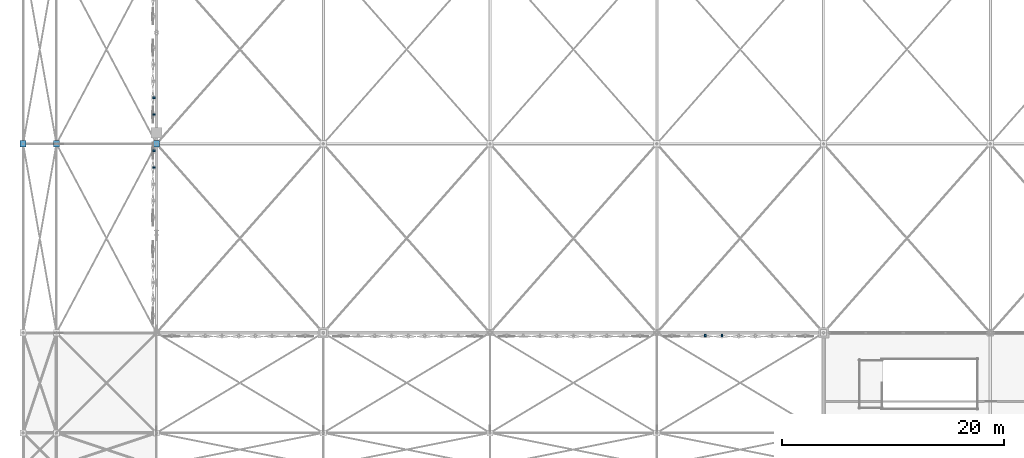
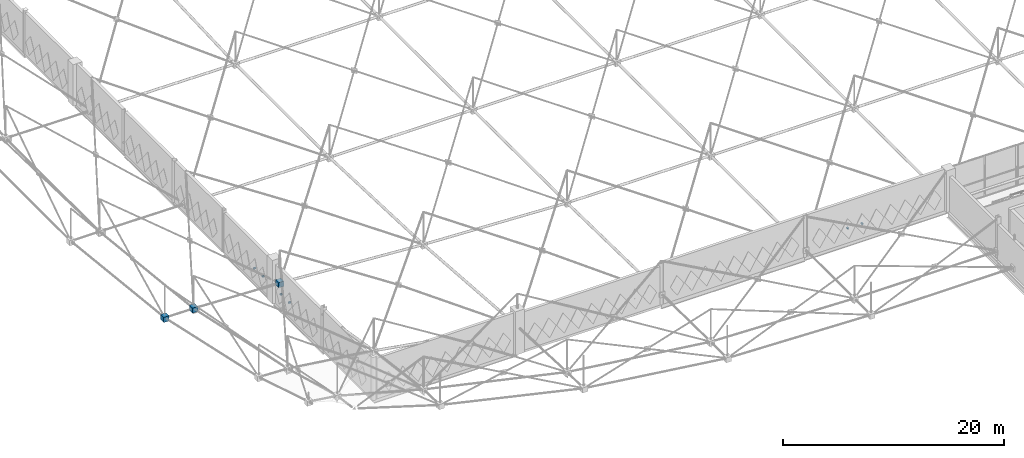
# One storey, part 204 of 224: 9 discrete accessories.
"""IFC4 building model written with IfcOpenShell, lengths in metres."""

import ifcopenshell
import ifcopenshell.guid

model = None  # the IFC model being written
_history = None  # IfcOwnerHistory: only IFC2X3 demands one
_inside = {}  # id of a spatial element -> (the spatial element, [elements in it])
_under = {}  # id of a project, library or spatial element -> (it, [spatial elements below it])
_declared = {}  # id of a project -> (the project, [libraries it declares])
_typed = {}  # id of a type object -> (the type object, [elements of that type])
_made_of = {}  # id of a material, layer set ... -> (it, [elements and type objects made of it])


def new_model(schema):
    """Start an empty IFC model of exactly this schema.

    Asked for "IFC4X3", IfcOpenShell would pick the latest addendum, in which some entities
    have other attributes; the version numbers below select the first issue.
    IFC2X3 requires an IfcOwnerHistory on every rooted entity: one is made here for all.
    """
    global model, _history
    if schema == "IFC4X3":
        model = ifcopenshell.file(schema_version=(4, 3, 0, 0))
    else:
        model = ifcopenshell.file(schema=schema)
    _inside.clear()
    _under.clear()
    _declared.clear()
    _typed.clear()
    _made_of.clear()
    _history = None
    if model.schema == "IFC2X3":
        org = make("IfcOrganization", Name="unknown")
        user = make(
            "IfcPersonAndOrganization",
            ThePerson=make("IfcPerson", FamilyName="unknown"),
            TheOrganization=org,
        )
        app = make(
            "IfcApplication",
            ApplicationDeveloper=org,
            Version="unknown",
            ApplicationFullName="unknown",
            ApplicationIdentifier="unknown",
        )
        _history = make(
            "IfcOwnerHistory",
            OwningUser=user,
            OwningApplication=app,
            ChangeAction="ADDED",
            CreationDate=0,
        )
    return model


def make(cls, **values):
    """One entity of the class cls with the attributes given. An attribute that is None is left unset."""
    return model.create_entity(
        cls, **{name: value for name, value in values.items() if value is not None}
    )


def rooted(cls, **values):
    """An entity with a GlobalId (a new one), such as an element, a storey or a relation."""
    return make(cls, GlobalId=ifcopenshell.guid.new(), OwnerHistory=_history, **values)


def si_unit(unit_type, name, prefix=None):
    """IfcSIUnit, for example si_unit("LENGTHUNIT", "METRE", prefix="MILLI")."""
    return make("IfcSIUnit", UnitType=unit_type, Prefix=prefix, Name=name)


def assignment(units):
    """IfcUnitAssignment: the units of a project."""
    return None if units is None else make("IfcUnitAssignment", Units=units)


def point(xyz):
    """IfcCartesianPoint."""
    return None if xyz is None else make("IfcCartesianPoint", Coordinates=xyz)


def direction(xyz):
    """IfcDirection."""
    return None if xyz is None else make("IfcDirection", DirectionRatios=xyz)


def frame(location, z_axis=None, x_axis=None):
    """IfcAxis2Placement3D, a coordinate frame: its origin and axes. An axis left out is left unset."""
    return make(
        "IfcAxis2Placement3D",
        Location=point(location),
        Axis=direction(z_axis),
        RefDirection=direction(x_axis),
    )


def frame_2d(location, x_axis=None):
    """IfcAxis2Placement2D, a coordinate frame in the plane: its origin and x axis."""
    return make(
        "IfcAxis2Placement2D", Location=point(location), RefDirection=direction(x_axis)
    )


def origin():
    """The frame at (0, 0, 0) with its axes left unset."""
    return frame((0.0, 0.0, 0.0))


def origin_2d():
    """The frame at (0, 0) in the plane with its x axis left unset."""
    return frame_2d((0.0, 0.0))


def place(relative_to, where):
    """IfcLocalPlacement: puts the frame where relative to a parent placement (None: the world)."""
    return make(
        "IfcLocalPlacement", PlacementRelTo=relative_to, RelativePlacement=where
    )


def context(
    kind, dimensions, precision=None, world=None, true_north=None, identifier=None
):
    """IfcGeometricRepresentationContext, for example the 3D "Model" context."""
    return make(
        "IfcGeometricRepresentationContext",
        ContextIdentifier=identifier,
        ContextType=kind,
        CoordinateSpaceDimension=dimensions,
        Precision=precision,
        WorldCoordinateSystem=world,
        TrueNorth=true_north,
    )


def subcontext(parent, identifier, kind, view, scale=None):
    """IfcGeometricRepresentationSubContext, for example "Body" below "Model"."""
    return make(
        "IfcGeometricRepresentationSubContext",
        ContextIdentifier=identifier,
        ContextType=kind,
        ParentContext=parent,
        TargetScale=scale,
        TargetView=view,
    )


def project(units=None, contexts=None):
    """IfcProject with its units and contexts."""
    return rooted(
        "IfcProject",
        Name="project",
        RepresentationContexts=contexts,
        UnitsInContext=assignment(units),
    )


def spatial(cls, under=None, at=None, **own):
    """A site, building, storey or space (cls), placed at a placement, below another one or the project."""
    s = rooted(cls, ObjectPlacement=at, **own)
    if under is not None:
        _under.setdefault(under.id(), (under, []))[1].append(s)
    return s


def profile(cls, at=None, kind="AREA", **sizes):
    """A parametric profile (cls). Its sizes go by their IFC names, for example OverallWidth=200.0."""
    return make(cls, ProfileType=kind, Position=at, **sizes)


def rectangle(**sizes):
    """IfcRectangleProfileDef."""
    return profile("IfcRectangleProfileDef", **sizes)


def extrude(swept, where, along, depth):
    """IfcExtrudedAreaSolid: the profile swept, set in the frame where, extruded along a direction by depth."""
    return make(
        "IfcExtrudedAreaSolid",
        SweptArea=swept,
        Position=where,
        ExtrudedDirection=direction(along),
        Depth=depth,
    )


def shape(context_of_items, identifier, shape_type, items):
    """IfcShapeRepresentation: the items that make up one representation, for example the "Body"."""
    return make(
        "IfcShapeRepresentation",
        ContextOfItems=context_of_items,
        RepresentationIdentifier=identifier,
        RepresentationType=shape_type,
        Items=items,
    )


def material(Name=None, Category=None):
    """IfcMaterial."""
    return make("IfcMaterial", Name=Name, Category=Category)


def made_of(thing, what):
    """Note that an element or type object is made of a material, layer set ...; save() writes the relation."""
    if what is not None:
        _made_of.setdefault(what.id(), (what, []))[1].append(thing)
    return thing


def type_object(cls, material=None, **own):
    """A type object (cls), such as IfcWallType, which elements share."""
    return made_of(rooted(cls, **own), material)


def element(
    cls,
    number,
    at=None,
    inside=None,
    cuts=None,
    type_object=None,
    material=None,
    context=None,
    identifier="Body",
    shape_type=None,
    held_by="IfcProductDefinitionShape",
    body=None,
    shapes=None,
    **own,
):
    """One element of the class cls, such as IfcWall. Its Tag is "e" and its number.

    at: its placement. inside: the storey or other place that contains it. cuts: it is an
    opening in that element (IfcRelVoidsElement). A single representation is given by context,
    identifier, shape_type and body (its items); several are given by shapes. held_by: the class
    of the entity that holds the representations. save() writes the other relations.
    """
    e = rooted(cls, Tag="e%d" % number, ObjectPlacement=at, **own)
    if body is not None:
        shapes = [shape(context, identifier, shape_type, body)]
    if shapes is not None:
        e.Representation = make(held_by, Representations=shapes)
    if inside is not None:
        _inside.setdefault(inside.id(), (inside, []))[1].append(e)
    if cuts is not None:
        rooted(
            "IfcRelVoidsElement", RelatingBuildingElement=cuts, RelatedOpeningElement=e
        )
    if type_object is not None:
        _typed.setdefault(type_object.id(), (type_object, []))[1].append(e)
    return made_of(e, material)


def aggregate(whole, parts):
    """IfcRelAggregates: a whole, such as a stair, and the parts it consists of."""
    return rooted("IfcRelAggregates", RelatingObject=whole, RelatedObjects=parts)


def save(model, path):
    """Write the relations noted so far, then the file.

    IfcRelAggregates (storeys below a building ...), IfcRelContainedInSpatialStructure (elements
    in a storey), IfcRelDefinesByType, IfcRelAssociatesMaterial and IfcRelDeclares: one each for
    every whole, place, type object, material and project.
    """
    for whole, parts in _under.values():
        aggregate(whole, parts)
    for where, things in _inside.values():
        rooted(
            "IfcRelContainedInSpatialStructure",
            RelatedElements=things,
            RelatingStructure=where,
        )
    for kind, things in _typed.values():
        rooted("IfcRelDefinesByType", RelatedObjects=things, RelatingType=kind)
    for what, things in _made_of.values():
        rooted("IfcRelAssociatesMaterial", RelatedObjects=things, RelatingMaterial=what)
    for by, libraries in _declared.values():
        rooted("IfcRelDeclares", RelatingContext=by, RelatedDefinitions=libraries)
    model.write(path)


model = new_model("IFC4")

# Units and contexts
model_context = context("Model", 3, precision=1e-05, world=origin(), true_north=direction((0.0, 1.0)))
body_context = subcontext(model_context, "Body", "Model", "MODEL_VIEW")
ifc_project = project(units=[si_unit("LENGTHUNIT", "METRE"), si_unit("AREAUNIT", "SQUARE_METRE"), si_unit("VOLUMEUNIT", "CUBIC_METRE"), si_unit("PLANEANGLEUNIT", "RADIAN"), si_unit("MASSUNIT", "GRAM", prefix="KILO")], contexts=[model_context])

# Site, building, storey
site_placement = place(None, origin())
site = spatial("IfcSite", under=ifc_project, at=site_placement, CompositionType="ELEMENT")
building_placement = place(site_placement, origin())
building = spatial("IfcBuilding", under=site, at=building_placement, Name="Qamarlyn Nura Convention Centre", CompositionType="ELEMENT")
storey_placement = place(building_placement, frame((0.0, 0.0, 10.800048828125)))
storey = spatial("IfcBuildingStorey", under=building, at=storey_placement, Name="L02", CompositionType="ELEMENT", Elevation=10.800048828125)

# Discrete accessories
ifc_material_1 = material(Name="Pearl-white PVDF steel ASTM A500 Grade C", Category="steel")
discrete_accessory_type_1 = type_object("IfcDiscreteAccessoryType", Name="ACC-SF-NODE", PredefinedType="USERDEFINED", material=ifc_material_1)
for number, where, z_axis, x_axis, name in (
    (1, (-12.0, 35.0, 2.57763671875), (0.0, 0.0, 1.0), (1.0, 0.0, 0.0), "Cast space frame node BC-0-3"),
    (2, (-9.0, 35.0, 2.552001953125), (0.0, 0.0, 1.0), (1.0, 0.0, 0.0), "Cast space frame node BC-1-3"),
    (3, (0.0, 35.0, 2.20361328125), (0.0, 0.0, 1.0), (1.0, 0.0, 0.0), "Cast space frame node BC-2-3"),
):
    element("IfcDiscreteAccessory", number, at=place(storey_placement, frame(where, z_axis=z_axis, x_axis=x_axis)), inside=storey, type_object=discrete_accessory_type_1, Name=name, ObjectType="SPACE FRAME NODE", PredefinedType="USERDEFINED", context=body_context, shape_type="SweptSolid", body=[
        extrude(rectangle(XDim=0.56005859375, YDim=0.56005859375, at=origin_2d()), origin(), (0.0, 0.0, 1.0), 0.56005859375),
    ])
ifc_material_2 = material(Name="Marine Grade 316 stainless steel", Category="steel")
discrete_accessory_type_2 = type_object("IfcDiscreteAccessoryType", Name="ACC-TILE-BRK", PredefinedType="BRACKET", material=ifc_material_2)
discrete_accessory_1_placement = place(storey_placement, frame((-0.224365234375, 32.86865234375, 1.6201171875), z_axis=(0.0, 0.0, 1.0), x_axis=(-1.0, 0.0, 0.0)))
element("IfcDiscreteAccessory", 4, at=discrete_accessory_1_placement, inside=storey, type_object=discrete_accessory_type_2, Name="L02 diamond tile pivot bracket 0203", PredefinedType="BRACKET", context=body_context, shape_type="SweptSolid", body=[
    extrude(rectangle(XDim=0.228515625, YDim=0.159912109375, at=origin_2d()), origin(), (0.0, 0.0, 1.0), 0.159912109375),
])
for number, where, z_axis, x_axis, name in (
    (5, (-0.218994140625, 34.36865234375, 1.6201171875), (0.0, 0.0, 1.0), (-1.0, 0.0, 0.0), "L02 diamond tile pivot bracket 0204"),
    (6, (-0.218994140625, 37.635986328125, 1.6201171875), (0.0, 0.0, 1.0), (-1.0, 0.0, 0.0), "L02 diamond tile pivot bracket 0205"),
):
    element("IfcDiscreteAccessory", number, at=place(storey_placement, frame(where, z_axis=z_axis, x_axis=x_axis)), inside=storey, type_object=discrete_accessory_type_2, Name=name, PredefinedType="BRACKET", context=body_context, shape_type="SweptSolid", body=[
        extrude(rectangle(XDim=0.218017578125, YDim=0.159912109375, at=origin_2d()), origin(), (0.0, 0.0, 1.0), 0.159912109375),
    ])
discrete_accessory_2_placement = place(storey_placement, frame((-0.224365234375, 39.135986328125, 1.6201171875), z_axis=(0.0, 0.0, 1.0), x_axis=(-1.0, 0.0, 0.0)))
element("IfcDiscreteAccessory", 7, at=discrete_accessory_2_placement, inside=storey, type_object=discrete_accessory_type_2, Name="L02 diamond tile pivot bracket 0206", PredefinedType="BRACKET", context=body_context, shape_type="SweptSolid", body=[
    extrude(rectangle(XDim=0.228515625, YDim=0.159912109375, at=origin_2d()), origin(), (0.0, 0.0, 1.0), 0.159912109375),
])
discrete_accessory_3_placement = place(storey_placement, frame((50.864013671875, 17.7734375, 1.6201171875), z_axis=(0.0, 0.0, 1.0), x_axis=(0.0, -1.0, 0.0)))
element("IfcDiscreteAccessory", 8, at=discrete_accessory_3_placement, inside=storey, type_object=discrete_accessory_type_2, Name="L02 diamond tile pivot bracket 0274", PredefinedType="BRACKET", context=body_context, shape_type="SweptSolid", body=[
    extrude(rectangle(XDim=0.23291015625, YDim=0.159912109375, at=origin_2d()), origin(), (0.0, 0.0, 1.0), 0.159912109375),
])
discrete_accessory_4_placement = place(storey_placement, frame((49.364013671875, 17.77587890625, 1.6201171875), z_axis=(0.0, 0.0, 1.0), x_axis=(0.0, -1.0, 0.0)))
element("IfcDiscreteAccessory", 9, at=discrete_accessory_4_placement, inside=storey, type_object=discrete_accessory_type_2, Name="L02 diamond tile pivot bracket 0275", PredefinedType="BRACKET", context=body_context, shape_type="SweptSolid", body=[
    extrude(rectangle(XDim=0.228515625, YDim=0.159912109375, at=origin_2d()), origin(), (0.0, 0.0, 1.0), 0.159912109375),
])

save(model, "model.ifc")
